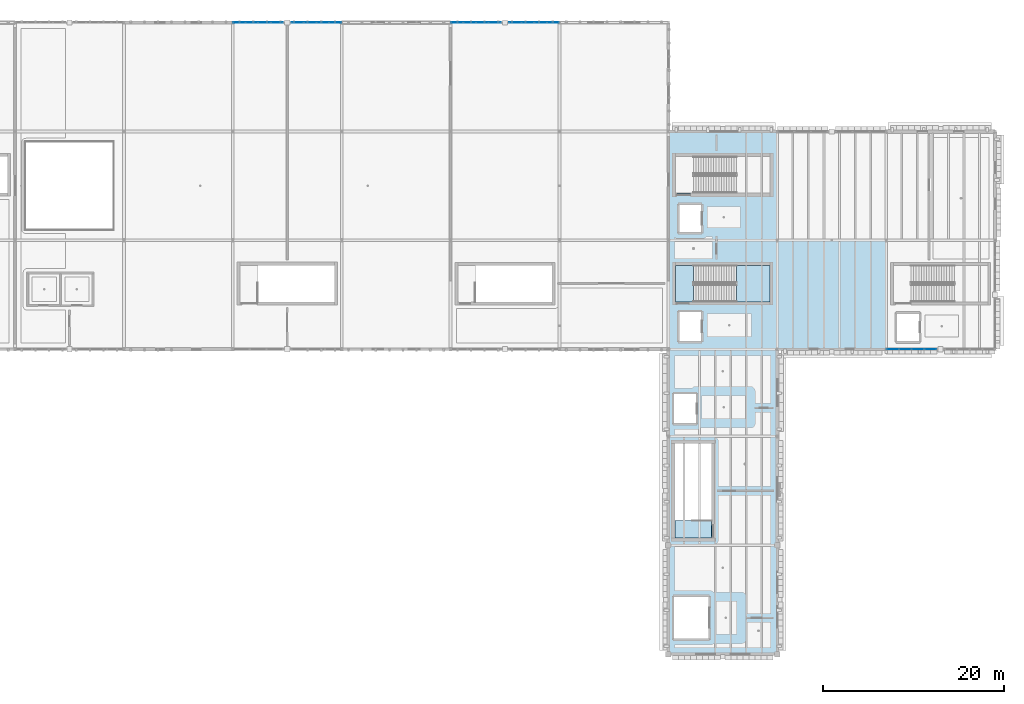
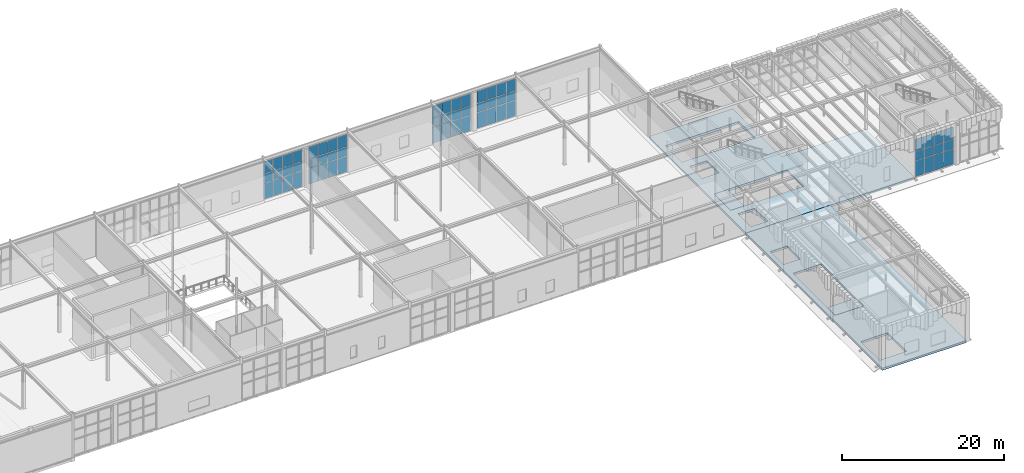
# One storey, part 35 of 62: 60 plates, 5 slabs, 6 elements without a shape of their own.
"""IFC4 building model written with IfcOpenShell, lengths in metres."""

from ifc_helpers import new_model, si_unit, direction, frame, origin, origin_2d, place, context, subcontext, project, spatial, polyline, rectangle, outline, extrude, material, layer, layer_set, type_object, element, aggregate, save


model = new_model("IFC4")

# Units and contexts
model_context = context("Model", 3, precision=1e-05, world=origin(), true_north=direction((0.0, 1.0)))
body_context = subcontext(model_context, "Body", "Model", "MODEL_VIEW")
ifc_project = project(units=[si_unit("LENGTHUNIT", "METRE"), si_unit("AREAUNIT", "SQUARE_METRE"), si_unit("VOLUMEUNIT", "CUBIC_METRE"), si_unit("PLANEANGLEUNIT", "RADIAN"), si_unit("MASSUNIT", "GRAM", prefix="KILO")], contexts=[model_context])

# Site, building, storey
site_placement = place(None, origin())
site = spatial("IfcSite", under=ifc_project, at=site_placement, CompositionType="ELEMENT")
building_placement = place(site_placement, origin())
building = spatial("IfcBuilding", under=site, at=building_placement, Name="Zlatogorsky Bluff Art Gallery", CompositionType="ELEMENT")
storey_placement = place(building_placement, frame((0.0, 0.0, 16.800048828125)))
storey = spatial("IfcBuildingStorey", under=building, at=storey_placement, Name="L03", CompositionType="ELEMENT", Elevation=16.800048828125)

# Curtain wall, plates
ifc_material_1 = material(Name="Anodised Bronze Aluminium and Low-Iron Triple Glazing", Category="aluminium")
ifc_layer_1 = layer(ifc_material_1, 0.199951171875)
ifc_layer_set_1 = layer_set([ifc_layer_1], Name="Curtain Wall CW-02")
curtain_wall_type = type_object("IfcCurtainWallType", Name="Curtain Wall CW-02", PredefinedType="USERDEFINED", material=ifc_layer_set_1)
curtain_wall_1_placement = place(storey_placement, origin())
curtain_wall_1 = element("IfcCurtainWall", 1, at=curtain_wall_1_placement, inside=storey, type_object=curtain_wall_type, Name="Unitised curtain wall CW-02 L03 N 6.10-A", ObjectType="CURTAIN WALL", PredefinedType="USERDEFINED")
ifc_material_2 = material(Name="Low-Iron Laminated Triple Glazing", Category="glass")
ifc_layer_2 = layer(ifc_material_2, 0.035888671875)
ifc_layer_set_2 = layer_set([ifc_layer_2], Name="Glazed Curtain Panel CWP-01")
plate_type = type_object("IfcPlateType", Name="Glazed Curtain Panel CWP-01", PredefinedType="CURTAIN_PANEL", material=ifc_layer_set_2)
plate_1_placement = place(storey_placement, frame((83.2861328125, 120.0, 0.06494140625), z_axis=(0.0, 0.0, 1.0), x_axis=(-1.0, 0.0, 0.0)))
plate_1 = element("IfcPlate", 2, at=plate_1_placement, type_object=plate_type, Name="CW-02 panel 1.1", PredefinedType="CURTAIN_PANEL", context=body_context, shape_type="SweptSolid", body=[
    extrude(rectangle(XDim=1.297607421875, YDim=0.035888671875, at=origin_2d()), origin(), (0.0, 0.0, 1.0), 2.3525390625),
])
plate_2_placement = place(storey_placement, frame((83.2861328125, 120.0, 2.482421875), z_axis=(0.0, 0.0, 1.0), x_axis=(-1.0, 0.0, 0.0)))
plate_2 = element("IfcPlate", 3, at=plate_2_placement, type_object=plate_type, Name="CW-02 panel 1.2", PredefinedType="CURTAIN_PANEL", context=body_context, shape_type="SweptSolid", body=[
    extrude(rectangle(XDim=1.297607421875, YDim=0.035888671875, at=origin_2d()), origin(), (0.0, 0.0, 1.0), 1.3349609375),
])
plate_3_placement = place(storey_placement, frame((83.2861328125, 120.0, 3.88232421875), z_axis=(0.0, 0.0, 1.0), x_axis=(-1.0, 0.0, 0.0)))
plate_3 = element("IfcPlate", 4, at=plate_3_placement, type_object=plate_type, Name="CW-02 panel 1.3", PredefinedType="CURTAIN_PANEL", context=body_context, shape_type="SweptSolid", body=[
    extrude(rectangle(XDim=1.297607421875, YDim=0.035888671875, at=origin_2d()), origin(), (0.0, 0.0, 1.0), 1.802490234375),
])
plate_4_placement = place(storey_placement, frame((81.907470703125, 120.0, 0.06494140625), z_axis=(0.0, 0.0, 1.0), x_axis=(-1.0, 0.0, 0.0)))
plate_4 = element("IfcPlate", 5, at=plate_4_placement, type_object=plate_type, Name="CW-02 panel 2.1", PredefinedType="CURTAIN_PANEL", context=body_context, shape_type="SweptSolid", body=[
    extrude(rectangle(XDim=1.330078125, YDim=0.035888671875, at=origin_2d()), origin(), (0.0, 0.0, 1.0), 2.3525390625),
])
plate_5_placement = place(storey_placement, frame((81.907470703125, 120.0, 2.482421875), z_axis=(0.0, 0.0, 1.0), x_axis=(-1.0, 0.0, 0.0)))
plate_5 = element("IfcPlate", 6, at=plate_5_placement, type_object=plate_type, Name="CW-02 panel 2.2", PredefinedType="CURTAIN_PANEL", context=body_context, shape_type="SweptSolid", body=[
    extrude(rectangle(XDim=1.330078125, YDim=0.035888671875, at=origin_2d()), origin(), (0.0, 0.0, 1.0), 1.3349609375),
])
plate_6_placement = place(storey_placement, frame((81.907470703125, 120.0, 3.88232421875), z_axis=(0.0, 0.0, 1.0), x_axis=(-1.0, 0.0, 0.0)))
plate_6 = element("IfcPlate", 7, at=plate_6_placement, type_object=plate_type, Name="CW-02 panel 2.3", PredefinedType="CURTAIN_PANEL", context=body_context, shape_type="SweptSolid", body=[
    extrude(rectangle(XDim=1.330078125, YDim=0.035888671875, at=origin_2d()), origin(), (0.0, 0.0, 1.0), 1.802490234375),
])
plate_7_placement = place(storey_placement, frame((80.512451171875, 120.0, 0.06494140625), z_axis=(0.0, 0.0, 1.0), x_axis=(-1.0, 0.0, 0.0)))
plate_7 = element("IfcPlate", 8, at=plate_7_placement, type_object=plate_type, Name="CW-02 panel 3.1", PredefinedType="CURTAIN_PANEL", context=body_context, shape_type="SweptSolid", body=[
    extrude(rectangle(XDim=1.330078125, YDim=0.035888671875, at=origin_2d()), origin(), (0.0, 0.0, 1.0), 2.3525390625),
])
plate_8_placement = place(storey_placement, frame((80.512451171875, 120.0, 2.482421875), z_axis=(0.0, 0.0, 1.0), x_axis=(-1.0, 0.0, 0.0)))
plate_8 = element("IfcPlate", 9, at=plate_8_placement, type_object=plate_type, Name="CW-02 panel 3.2", PredefinedType="CURTAIN_PANEL", context=body_context, shape_type="SweptSolid", body=[
    extrude(rectangle(XDim=1.330078125, YDim=0.035888671875, at=origin_2d()), origin(), (0.0, 0.0, 1.0), 1.3349609375),
])
plate_9_placement = place(storey_placement, frame((80.512451171875, 120.0, 3.88232421875), z_axis=(0.0, 0.0, 1.0), x_axis=(-1.0, 0.0, 0.0)))
plate_9 = element("IfcPlate", 10, at=plate_9_placement, type_object=plate_type, Name="CW-02 panel 3.3", PredefinedType="CURTAIN_PANEL", context=body_context, shape_type="SweptSolid", body=[
    extrude(rectangle(XDim=1.330078125, YDim=0.035888671875, at=origin_2d()), origin(), (0.0, 0.0, 1.0), 1.802490234375),
])
plate_10_placement = place(storey_placement, frame((79.1337890625, 120.0, 0.06494140625), z_axis=(0.0, 0.0, 1.0), x_axis=(-1.0, 0.0, 0.0)))
plate_10 = element("IfcPlate", 11, at=plate_10_placement, type_object=plate_type, Name="CW-02 panel 4.1", PredefinedType="CURTAIN_PANEL", context=body_context, shape_type="SweptSolid", body=[
    extrude(rectangle(XDim=1.297607421875, YDim=0.035888671875, at=origin_2d()), origin(), (0.0, 0.0, 1.0), 2.3525390625),
])
plate_11_placement = place(storey_placement, frame((79.1337890625, 120.0, 2.482421875), z_axis=(0.0, 0.0, 1.0), x_axis=(-1.0, 0.0, 0.0)))
plate_11 = element("IfcPlate", 12, at=plate_11_placement, type_object=plate_type, Name="CW-02 panel 4.2", PredefinedType="CURTAIN_PANEL", context=body_context, shape_type="SweptSolid", body=[
    extrude(rectangle(XDim=1.297607421875, YDim=0.035888671875, at=origin_2d()), origin(), (0.0, 0.0, 1.0), 1.3349609375),
])
plate_12_placement = place(storey_placement, frame((79.1337890625, 120.0, 3.88232421875), z_axis=(0.0, 0.0, 1.0), x_axis=(-1.0, 0.0, 0.0)))
plate_12 = element("IfcPlate", 13, at=plate_12_placement, type_object=plate_type, Name="CW-02 panel 4.3", PredefinedType="CURTAIN_PANEL", context=body_context, shape_type="SweptSolid", body=[
    extrude(rectangle(XDim=1.297607421875, YDim=0.035888671875, at=origin_2d()), origin(), (0.0, 0.0, 1.0), 1.802490234375),
])
aggregate(curtain_wall_1, [plate_1, plate_2, plate_3, plate_4, plate_5, plate_6, plate_7, plate_8, plate_9, plate_10, plate_11, plate_12])

curtain_wall_2_placement = place(storey_placement, origin())
curtain_wall_2 = element("IfcCurtainWall", 14, at=curtain_wall_2_placement, inside=storey, type_object=curtain_wall_type, Name="Unitised curtain wall CW-02 L03 N 6.10-B", ObjectType="CURTAIN WALL", PredefinedType="USERDEFINED")
plate_13_placement = place(storey_placement, frame((76.8662109375, 120.0, 0.06494140625), z_axis=(0.0, 0.0, 1.0), x_axis=(-1.0, 0.0, 0.0)))
plate_13 = element("IfcPlate", 15, at=plate_13_placement, type_object=plate_type, Name="CW-02 panel 1.1", PredefinedType="CURTAIN_PANEL", context=body_context, shape_type="SweptSolid", body=[
    extrude(rectangle(XDim=1.297607421875, YDim=0.035888671875, at=origin_2d()), origin(), (0.0, 0.0, 1.0), 2.3525390625),
])
plate_14_placement = place(storey_placement, frame((76.8662109375, 120.0, 2.482421875), z_axis=(0.0, 0.0, 1.0), x_axis=(-1.0, 0.0, 0.0)))
plate_14 = element("IfcPlate", 16, at=plate_14_placement, type_object=plate_type, Name="CW-02 panel 1.2", PredefinedType="CURTAIN_PANEL", context=body_context, shape_type="SweptSolid", body=[
    extrude(rectangle(XDim=1.297607421875, YDim=0.035888671875, at=origin_2d()), origin(), (0.0, 0.0, 1.0), 1.3349609375),
])
plate_15_placement = place(storey_placement, frame((76.8662109375, 120.0, 3.88232421875), z_axis=(0.0, 0.0, 1.0), x_axis=(-1.0, 0.0, 0.0)))
plate_15 = element("IfcPlate", 17, at=plate_15_placement, type_object=plate_type, Name="CW-02 panel 1.3", PredefinedType="CURTAIN_PANEL", context=body_context, shape_type="SweptSolid", body=[
    extrude(rectangle(XDim=1.297607421875, YDim=0.035888671875, at=origin_2d()), origin(), (0.0, 0.0, 1.0), 1.802490234375),
])
plate_16_placement = place(storey_placement, frame((75.487548828125, 120.0, 0.06494140625), z_axis=(0.0, 0.0, 1.0), x_axis=(-1.0, 0.0, 0.0)))
plate_16 = element("IfcPlate", 18, at=plate_16_placement, type_object=plate_type, Name="CW-02 panel 2.1", PredefinedType="CURTAIN_PANEL", context=body_context, shape_type="SweptSolid", body=[
    extrude(rectangle(XDim=1.330078125, YDim=0.035888671875, at=origin_2d()), origin(), (0.0, 0.0, 1.0), 2.3525390625),
])
plate_17_placement = place(storey_placement, frame((75.487548828125, 120.0, 2.482421875), z_axis=(0.0, 0.0, 1.0), x_axis=(-1.0, 0.0, 0.0)))
plate_17 = element("IfcPlate", 19, at=plate_17_placement, type_object=plate_type, Name="CW-02 panel 2.2", PredefinedType="CURTAIN_PANEL", context=body_context, shape_type="SweptSolid", body=[
    extrude(rectangle(XDim=1.330078125, YDim=0.035888671875, at=origin_2d()), origin(), (0.0, 0.0, 1.0), 1.3349609375),
])
plate_18_placement = place(storey_placement, frame((75.487548828125, 120.0, 3.88232421875), z_axis=(0.0, 0.0, 1.0), x_axis=(-1.0, 0.0, 0.0)))
plate_18 = element("IfcPlate", 20, at=plate_18_placement, type_object=plate_type, Name="CW-02 panel 2.3", PredefinedType="CURTAIN_PANEL", context=body_context, shape_type="SweptSolid", body=[
    extrude(rectangle(XDim=1.330078125, YDim=0.035888671875, at=origin_2d()), origin(), (0.0, 0.0, 1.0), 1.802490234375),
])
plate_19_placement = place(storey_placement, frame((74.092529296875, 120.0, 0.06494140625), z_axis=(0.0, 0.0, 1.0), x_axis=(-1.0, 0.0, 0.0)))
plate_19 = element("IfcPlate", 21, at=plate_19_placement, type_object=plate_type, Name="CW-02 panel 3.1", PredefinedType="CURTAIN_PANEL", context=body_context, shape_type="SweptSolid", body=[
    extrude(rectangle(XDim=1.330078125, YDim=0.035888671875, at=origin_2d()), origin(), (0.0, 0.0, 1.0), 2.3525390625),
])
plate_20_placement = place(storey_placement, frame((74.092529296875, 120.0, 2.482421875), z_axis=(0.0, 0.0, 1.0), x_axis=(-1.0, 0.0, 0.0)))
plate_20 = element("IfcPlate", 22, at=plate_20_placement, type_object=plate_type, Name="CW-02 panel 3.2", PredefinedType="CURTAIN_PANEL", context=body_context, shape_type="SweptSolid", body=[
    extrude(rectangle(XDim=1.330078125, YDim=0.035888671875, at=origin_2d()), origin(), (0.0, 0.0, 1.0), 1.3349609375),
])
plate_21_placement = place(storey_placement, frame((74.092529296875, 120.0, 3.88232421875), z_axis=(0.0, 0.0, 1.0), x_axis=(-1.0, 0.0, 0.0)))
plate_21 = element("IfcPlate", 23, at=plate_21_placement, type_object=plate_type, Name="CW-02 panel 3.3", PredefinedType="CURTAIN_PANEL", context=body_context, shape_type="SweptSolid", body=[
    extrude(rectangle(XDim=1.330078125, YDim=0.035888671875, at=origin_2d()), origin(), (0.0, 0.0, 1.0), 1.802490234375),
])
plate_22_placement = place(storey_placement, frame((72.7138671875, 120.0, 0.06494140625), z_axis=(0.0, 0.0, 1.0), x_axis=(-1.0, 0.0, 0.0)))
plate_22 = element("IfcPlate", 24, at=plate_22_placement, type_object=plate_type, Name="CW-02 panel 4.1", PredefinedType="CURTAIN_PANEL", context=body_context, shape_type="SweptSolid", body=[
    extrude(rectangle(XDim=1.297607421875, YDim=0.035888671875, at=origin_2d()), origin(), (0.0, 0.0, 1.0), 2.3525390625),
])
plate_23_placement = place(storey_placement, frame((72.7138671875, 120.0, 2.482421875), z_axis=(0.0, 0.0, 1.0), x_axis=(-1.0, 0.0, 0.0)))
plate_23 = element("IfcPlate", 25, at=plate_23_placement, type_object=plate_type, Name="CW-02 panel 4.2", PredefinedType="CURTAIN_PANEL", context=body_context, shape_type="SweptSolid", body=[
    extrude(rectangle(XDim=1.297607421875, YDim=0.035888671875, at=origin_2d()), origin(), (0.0, 0.0, 1.0), 1.3349609375),
])
plate_24_placement = place(storey_placement, frame((72.7138671875, 120.0, 3.88232421875), z_axis=(0.0, 0.0, 1.0), x_axis=(-1.0, 0.0, 0.0)))
plate_24 = element("IfcPlate", 26, at=plate_24_placement, type_object=plate_type, Name="CW-02 panel 4.3", PredefinedType="CURTAIN_PANEL", context=body_context, shape_type="SweptSolid", body=[
    extrude(rectangle(XDim=1.297607421875, YDim=0.035888671875, at=origin_2d()), origin(), (0.0, 0.0, 1.0), 1.802490234375),
])
aggregate(curtain_wall_2, [plate_13, plate_14, plate_15, plate_16, plate_17, plate_18, plate_19, plate_20, plate_21, plate_22, plate_23, plate_24])

curtain_wall_3_placement = place(storey_placement, origin())
curtain_wall_3 = element("IfcCurtainWall", 27, at=curtain_wall_3_placement, inside=storey, type_object=curtain_wall_type, Name="Unitised curtain wall CW-02 L03 N 8.10-A", ObjectType="CURTAIN WALL", PredefinedType="USERDEFINED")
plate_25_placement = place(storey_placement, frame((107.2861328125, 120.0, 0.06494140625), z_axis=(0.0, 0.0, 1.0), x_axis=(-1.0, 0.0, 0.0)))
plate_25 = element("IfcPlate", 28, at=plate_25_placement, type_object=plate_type, Name="CW-02 panel 1.1", PredefinedType="CURTAIN_PANEL", context=body_context, shape_type="SweptSolid", body=[
    extrude(rectangle(XDim=1.297607421875, YDim=0.035888671875, at=origin_2d()), origin(), (0.0, 0.0, 1.0), 2.3525390625),
])
plate_26_placement = place(storey_placement, frame((107.2861328125, 120.0, 2.482421875), z_axis=(0.0, 0.0, 1.0), x_axis=(-1.0, 0.0, 0.0)))
plate_26 = element("IfcPlate", 29, at=plate_26_placement, type_object=plate_type, Name="CW-02 panel 1.2", PredefinedType="CURTAIN_PANEL", context=body_context, shape_type="SweptSolid", body=[
    extrude(rectangle(XDim=1.297607421875, YDim=0.035888671875, at=origin_2d()), origin(), (0.0, 0.0, 1.0), 1.3349609375),
])
plate_27_placement = place(storey_placement, frame((107.2861328125, 120.0, 3.88232421875), z_axis=(0.0, 0.0, 1.0), x_axis=(-1.0, 0.0, 0.0)))
plate_27 = element("IfcPlate", 30, at=plate_27_placement, type_object=plate_type, Name="CW-02 panel 1.3", PredefinedType="CURTAIN_PANEL", context=body_context, shape_type="SweptSolid", body=[
    extrude(rectangle(XDim=1.297607421875, YDim=0.035888671875, at=origin_2d()), origin(), (0.0, 0.0, 1.0), 1.802490234375),
])
plate_28_placement = place(storey_placement, frame((105.907470703125, 120.0, 0.06494140625), z_axis=(0.0, 0.0, 1.0), x_axis=(-1.0, 0.0, 0.0)))
plate_28 = element("IfcPlate", 31, at=plate_28_placement, type_object=plate_type, Name="CW-02 panel 2.1", PredefinedType="CURTAIN_PANEL", context=body_context, shape_type="SweptSolid", body=[
    extrude(rectangle(XDim=1.330078125, YDim=0.035888671875, at=origin_2d()), origin(), (0.0, 0.0, 1.0), 2.3525390625),
])
plate_29_placement = place(storey_placement, frame((105.907470703125, 120.0, 2.482421875), z_axis=(0.0, 0.0, 1.0), x_axis=(-1.0, 0.0, 0.0)))
plate_29 = element("IfcPlate", 32, at=plate_29_placement, type_object=plate_type, Name="CW-02 panel 2.2", PredefinedType="CURTAIN_PANEL", context=body_context, shape_type="SweptSolid", body=[
    extrude(rectangle(XDim=1.330078125, YDim=0.035888671875, at=origin_2d()), origin(), (0.0, 0.0, 1.0), 1.3349609375),
])
plate_30_placement = place(storey_placement, frame((105.907470703125, 120.0, 3.88232421875), z_axis=(0.0, 0.0, 1.0), x_axis=(-1.0, 0.0, 0.0)))
plate_30 = element("IfcPlate", 33, at=plate_30_placement, type_object=plate_type, Name="CW-02 panel 2.3", PredefinedType="CURTAIN_PANEL", context=body_context, shape_type="SweptSolid", body=[
    extrude(rectangle(XDim=1.330078125, YDim=0.035888671875, at=origin_2d()), origin(), (0.0, 0.0, 1.0), 1.802490234375),
])
plate_31_placement = place(storey_placement, frame((104.512451171875, 120.0, 0.06494140625), z_axis=(0.0, 0.0, 1.0), x_axis=(-1.0, 0.0, 0.0)))
plate_31 = element("IfcPlate", 34, at=plate_31_placement, type_object=plate_type, Name="CW-02 panel 3.1", PredefinedType="CURTAIN_PANEL", context=body_context, shape_type="SweptSolid", body=[
    extrude(rectangle(XDim=1.330078125, YDim=0.035888671875, at=origin_2d()), origin(), (0.0, 0.0, 1.0), 2.3525390625),
])
plate_32_placement = place(storey_placement, frame((104.512451171875, 120.0, 2.482421875), z_axis=(0.0, 0.0, 1.0), x_axis=(-1.0, 0.0, 0.0)))
plate_32 = element("IfcPlate", 35, at=plate_32_placement, type_object=plate_type, Name="CW-02 panel 3.2", PredefinedType="CURTAIN_PANEL", context=body_context, shape_type="SweptSolid", body=[
    extrude(rectangle(XDim=1.330078125, YDim=0.035888671875, at=origin_2d()), origin(), (0.0, 0.0, 1.0), 1.3349609375),
])
plate_33_placement = place(storey_placement, frame((104.512451171875, 120.0, 3.88232421875), z_axis=(0.0, 0.0, 1.0), x_axis=(-1.0, 0.0, 0.0)))
plate_33 = element("IfcPlate", 36, at=plate_33_placement, type_object=plate_type, Name="CW-02 panel 3.3", PredefinedType="CURTAIN_PANEL", context=body_context, shape_type="SweptSolid", body=[
    extrude(rectangle(XDim=1.330078125, YDim=0.035888671875, at=origin_2d()), origin(), (0.0, 0.0, 1.0), 1.802490234375),
])
plate_34_placement = place(storey_placement, frame((103.1337890625, 120.0, 0.06494140625), z_axis=(0.0, 0.0, 1.0), x_axis=(-1.0, 0.0, 0.0)))
plate_34 = element("IfcPlate", 37, at=plate_34_placement, type_object=plate_type, Name="CW-02 panel 4.1", PredefinedType="CURTAIN_PANEL", context=body_context, shape_type="SweptSolid", body=[
    extrude(rectangle(XDim=1.297607421875, YDim=0.035888671875, at=origin_2d()), origin(), (0.0, 0.0, 1.0), 2.3525390625),
])
plate_35_placement = place(storey_placement, frame((103.1337890625, 120.0, 2.482421875), z_axis=(0.0, 0.0, 1.0), x_axis=(-1.0, 0.0, 0.0)))
plate_35 = element("IfcPlate", 38, at=plate_35_placement, type_object=plate_type, Name="CW-02 panel 4.2", PredefinedType="CURTAIN_PANEL", context=body_context, shape_type="SweptSolid", body=[
    extrude(rectangle(XDim=1.297607421875, YDim=0.035888671875, at=origin_2d()), origin(), (0.0, 0.0, 1.0), 1.3349609375),
])
plate_36_placement = place(storey_placement, frame((103.1337890625, 120.0, 3.88232421875), z_axis=(0.0, 0.0, 1.0), x_axis=(-1.0, 0.0, 0.0)))
plate_36 = element("IfcPlate", 39, at=plate_36_placement, type_object=plate_type, Name="CW-02 panel 4.3", PredefinedType="CURTAIN_PANEL", context=body_context, shape_type="SweptSolid", body=[
    extrude(rectangle(XDim=1.297607421875, YDim=0.035888671875, at=origin_2d()), origin(), (0.0, 0.0, 1.0), 1.802490234375),
])
aggregate(curtain_wall_3, [plate_25, plate_26, plate_27, plate_28, plate_29, plate_30, plate_31, plate_32, plate_33, plate_34, plate_35, plate_36])

curtain_wall_4_placement = place(storey_placement, origin())
curtain_wall_4 = element("IfcCurtainWall", 40, at=curtain_wall_4_placement, inside=storey, type_object=curtain_wall_type, Name="Unitised curtain wall CW-02 L03 N 8.10-B", ObjectType="CURTAIN WALL", PredefinedType="USERDEFINED")
plate_37_placement = place(storey_placement, frame((100.8662109375, 120.0, 0.06494140625), z_axis=(0.0, 0.0, 1.0), x_axis=(-1.0, 0.0, 0.0)))
plate_37 = element("IfcPlate", 41, at=plate_37_placement, type_object=plate_type, Name="CW-02 panel 1.1", PredefinedType="CURTAIN_PANEL", context=body_context, shape_type="SweptSolid", body=[
    extrude(rectangle(XDim=1.297607421875, YDim=0.035888671875, at=origin_2d()), origin(), (0.0, 0.0, 1.0), 2.3525390625),
])
plate_38_placement = place(storey_placement, frame((100.8662109375, 120.0, 2.482421875), z_axis=(0.0, 0.0, 1.0), x_axis=(-1.0, 0.0, 0.0)))
plate_38 = element("IfcPlate", 42, at=plate_38_placement, type_object=plate_type, Name="CW-02 panel 1.2", PredefinedType="CURTAIN_PANEL", context=body_context, shape_type="SweptSolid", body=[
    extrude(rectangle(XDim=1.297607421875, YDim=0.035888671875, at=origin_2d()), origin(), (0.0, 0.0, 1.0), 1.3349609375),
])
plate_39_placement = place(storey_placement, frame((100.8662109375, 120.0, 3.88232421875), z_axis=(0.0, 0.0, 1.0), x_axis=(-1.0, 0.0, 0.0)))
plate_39 = element("IfcPlate", 43, at=plate_39_placement, type_object=plate_type, Name="CW-02 panel 1.3", PredefinedType="CURTAIN_PANEL", context=body_context, shape_type="SweptSolid", body=[
    extrude(rectangle(XDim=1.297607421875, YDim=0.035888671875, at=origin_2d()), origin(), (0.0, 0.0, 1.0), 1.802490234375),
])
plate_40_placement = place(storey_placement, frame((99.487548828125, 120.0, 0.06494140625), z_axis=(0.0, 0.0, 1.0), x_axis=(-1.0, 0.0, 0.0)))
plate_40 = element("IfcPlate", 44, at=plate_40_placement, type_object=plate_type, Name="CW-02 panel 2.1", PredefinedType="CURTAIN_PANEL", context=body_context, shape_type="SweptSolid", body=[
    extrude(rectangle(XDim=1.330078125, YDim=0.035888671875, at=origin_2d()), origin(), (0.0, 0.0, 1.0), 2.3525390625),
])
plate_41_placement = place(storey_placement, frame((99.487548828125, 120.0, 2.482421875), z_axis=(0.0, 0.0, 1.0), x_axis=(-1.0, 0.0, 0.0)))
plate_41 = element("IfcPlate", 45, at=plate_41_placement, type_object=plate_type, Name="CW-02 panel 2.2", PredefinedType="CURTAIN_PANEL", context=body_context, shape_type="SweptSolid", body=[
    extrude(rectangle(XDim=1.330078125, YDim=0.035888671875, at=origin_2d()), origin(), (0.0, 0.0, 1.0), 1.3349609375),
])
plate_42_placement = place(storey_placement, frame((99.487548828125, 120.0, 3.88232421875), z_axis=(0.0, 0.0, 1.0), x_axis=(-1.0, 0.0, 0.0)))
plate_42 = element("IfcPlate", 46, at=plate_42_placement, type_object=plate_type, Name="CW-02 panel 2.3", PredefinedType="CURTAIN_PANEL", context=body_context, shape_type="SweptSolid", body=[
    extrude(rectangle(XDim=1.330078125, YDim=0.035888671875, at=origin_2d()), origin(), (0.0, 0.0, 1.0), 1.802490234375),
])
plate_43_placement = place(storey_placement, frame((98.092529296875, 120.0, 0.06494140625), z_axis=(0.0, 0.0, 1.0), x_axis=(-1.0, 0.0, 0.0)))
plate_43 = element("IfcPlate", 47, at=plate_43_placement, type_object=plate_type, Name="CW-02 panel 3.1", PredefinedType="CURTAIN_PANEL", context=body_context, shape_type="SweptSolid", body=[
    extrude(rectangle(XDim=1.330078125, YDim=0.035888671875, at=origin_2d()), origin(), (0.0, 0.0, 1.0), 2.3525390625),
])
plate_44_placement = place(storey_placement, frame((98.092529296875, 120.0, 2.482421875), z_axis=(0.0, 0.0, 1.0), x_axis=(-1.0, 0.0, 0.0)))
plate_44 = element("IfcPlate", 48, at=plate_44_placement, type_object=plate_type, Name="CW-02 panel 3.2", PredefinedType="CURTAIN_PANEL", context=body_context, shape_type="SweptSolid", body=[
    extrude(rectangle(XDim=1.330078125, YDim=0.035888671875, at=origin_2d()), origin(), (0.0, 0.0, 1.0), 1.3349609375),
])
plate_45_placement = place(storey_placement, frame((98.092529296875, 120.0, 3.88232421875), z_axis=(0.0, 0.0, 1.0), x_axis=(-1.0, 0.0, 0.0)))
plate_45 = element("IfcPlate", 49, at=plate_45_placement, type_object=plate_type, Name="CW-02 panel 3.3", PredefinedType="CURTAIN_PANEL", context=body_context, shape_type="SweptSolid", body=[
    extrude(rectangle(XDim=1.330078125, YDim=0.035888671875, at=origin_2d()), origin(), (0.0, 0.0, 1.0), 1.802490234375),
])
plate_46_placement = place(storey_placement, frame((96.7138671875, 120.0, 0.06494140625), z_axis=(0.0, 0.0, 1.0), x_axis=(-1.0, 0.0, 0.0)))
plate_46 = element("IfcPlate", 50, at=plate_46_placement, type_object=plate_type, Name="CW-02 panel 4.1", PredefinedType="CURTAIN_PANEL", context=body_context, shape_type="SweptSolid", body=[
    extrude(rectangle(XDim=1.297607421875, YDim=0.035888671875, at=origin_2d()), origin(), (0.0, 0.0, 1.0), 2.3525390625),
])
plate_47_placement = place(storey_placement, frame((96.7138671875, 120.0, 2.482421875), z_axis=(0.0, 0.0, 1.0), x_axis=(-1.0, 0.0, 0.0)))
plate_47 = element("IfcPlate", 51, at=plate_47_placement, type_object=plate_type, Name="CW-02 panel 4.2", PredefinedType="CURTAIN_PANEL", context=body_context, shape_type="SweptSolid", body=[
    extrude(rectangle(XDim=1.297607421875, YDim=0.035888671875, at=origin_2d()), origin(), (0.0, 0.0, 1.0), 1.3349609375),
])
plate_48_placement = place(storey_placement, frame((96.7138671875, 120.0, 3.88232421875), z_axis=(0.0, 0.0, 1.0), x_axis=(-1.0, 0.0, 0.0)))
plate_48 = element("IfcPlate", 52, at=plate_48_placement, type_object=plate_type, Name="CW-02 panel 4.3", PredefinedType="CURTAIN_PANEL", context=body_context, shape_type="SweptSolid", body=[
    extrude(rectangle(XDim=1.297607421875, YDim=0.035888671875, at=origin_2d()), origin(), (0.0, 0.0, 1.0), 1.802490234375),
])
aggregate(curtain_wall_4, [plate_37, plate_38, plate_39, plate_40, plate_41, plate_42, plate_43, plate_44, plate_45, plate_46, plate_47, plate_48])

curtain_wall_5_placement = place(storey_placement, origin())
curtain_wall_5 = element("IfcCurtainWall", 53, at=curtain_wall_5_placement, inside=storey, type_object=curtain_wall_type, Name="Unitised curtain wall CW-02 L03 S 12.8-A", ObjectType="CURTAIN WALL", PredefinedType="USERDEFINED")
plate_49_placement = place(storey_placement, frame((144.7138671875, 84.0, 0.06494140625), z_axis=(0.0, 0.0, 1.0), x_axis=(1.0, 0.0, 0.0)))
plate_49 = element("IfcPlate", 54, at=plate_49_placement, type_object=plate_type, Name="CW-02 panel 1.1", PredefinedType="CURTAIN_PANEL", context=body_context, shape_type="SweptSolid", body=[
    extrude(rectangle(XDim=1.297607421875, YDim=0.035888671875, at=origin_2d()), origin(), (0.0, 0.0, 1.0), 2.3525390625),
])
plate_50_placement = place(storey_placement, frame((144.7138671875, 84.0, 2.482421875), z_axis=(0.0, 0.0, 1.0), x_axis=(1.0, 0.0, 0.0)))
plate_50 = element("IfcPlate", 55, at=plate_50_placement, type_object=plate_type, Name="CW-02 panel 1.2", PredefinedType="CURTAIN_PANEL", context=body_context, shape_type="SweptSolid", body=[
    extrude(rectangle(XDim=1.297607421875, YDim=0.035888671875, at=origin_2d()), origin(), (0.0, 0.0, 1.0), 1.3349609375),
])
plate_51_placement = place(storey_placement, frame((144.7138671875, 84.0, 3.88232421875), z_axis=(0.0, 0.0, 1.0), x_axis=(1.0, 0.0, 0.0)))
plate_51 = element("IfcPlate", 56, at=plate_51_placement, type_object=plate_type, Name="CW-02 panel 1.3", PredefinedType="CURTAIN_PANEL", context=body_context, shape_type="SweptSolid", body=[
    extrude(rectangle(XDim=1.297607421875, YDim=0.035888671875, at=origin_2d()), origin(), (0.0, 0.0, 1.0), 1.802490234375),
])
plate_52_placement = place(storey_placement, frame((146.092529296875, 84.0, 0.06494140625), z_axis=(0.0, 0.0, 1.0), x_axis=(1.0, 0.0, 0.0)))
plate_52 = element("IfcPlate", 57, at=plate_52_placement, type_object=plate_type, Name="CW-02 panel 2.1", PredefinedType="CURTAIN_PANEL", context=body_context, shape_type="SweptSolid", body=[
    extrude(rectangle(XDim=1.330078125, YDim=0.035888671875, at=origin_2d()), origin(), (0.0, 0.0, 1.0), 2.3525390625),
])
plate_53_placement = place(storey_placement, frame((146.092529296875, 84.0, 2.482421875), z_axis=(0.0, 0.0, 1.0), x_axis=(1.0, 0.0, 0.0)))
plate_53 = element("IfcPlate", 58, at=plate_53_placement, type_object=plate_type, Name="CW-02 panel 2.2", PredefinedType="CURTAIN_PANEL", context=body_context, shape_type="SweptSolid", body=[
    extrude(rectangle(XDim=1.330078125, YDim=0.035888671875, at=origin_2d()), origin(), (0.0, 0.0, 1.0), 1.3349609375),
])
plate_54_placement = place(storey_placement, frame((146.092529296875, 84.0, 3.88232421875), z_axis=(0.0, 0.0, 1.0), x_axis=(1.0, 0.0, 0.0)))
plate_54 = element("IfcPlate", 59, at=plate_54_placement, type_object=plate_type, Name="CW-02 panel 2.3", PredefinedType="CURTAIN_PANEL", context=body_context, shape_type="SweptSolid", body=[
    extrude(rectangle(XDim=1.330078125, YDim=0.035888671875, at=origin_2d()), origin(), (0.0, 0.0, 1.0), 1.802490234375),
])
plate_55_placement = place(storey_placement, frame((147.487548828125, 84.0, 0.06494140625), z_axis=(0.0, 0.0, 1.0), x_axis=(1.0, 0.0, 0.0)))
plate_55 = element("IfcPlate", 60, at=plate_55_placement, type_object=plate_type, Name="CW-02 panel 3.1", PredefinedType="CURTAIN_PANEL", context=body_context, shape_type="SweptSolid", body=[
    extrude(rectangle(XDim=1.330078125, YDim=0.035888671875, at=origin_2d()), origin(), (0.0, 0.0, 1.0), 2.3525390625),
])
plate_56_placement = place(storey_placement, frame((147.487548828125, 84.0, 2.482421875), z_axis=(0.0, 0.0, 1.0), x_axis=(1.0, 0.0, 0.0)))
plate_56 = element("IfcPlate", 61, at=plate_56_placement, type_object=plate_type, Name="CW-02 panel 3.2", PredefinedType="CURTAIN_PANEL", context=body_context, shape_type="SweptSolid", body=[
    extrude(rectangle(XDim=1.330078125, YDim=0.035888671875, at=origin_2d()), origin(), (0.0, 0.0, 1.0), 1.3349609375),
])
plate_57_placement = place(storey_placement, frame((147.487548828125, 84.0, 3.88232421875), z_axis=(0.0, 0.0, 1.0), x_axis=(1.0, 0.0, 0.0)))
plate_57 = element("IfcPlate", 62, at=plate_57_placement, type_object=plate_type, Name="CW-02 panel 3.3", PredefinedType="CURTAIN_PANEL", context=body_context, shape_type="SweptSolid", body=[
    extrude(rectangle(XDim=1.330078125, YDim=0.035888671875, at=origin_2d()), origin(), (0.0, 0.0, 1.0), 1.802490234375),
])
plate_58_placement = place(storey_placement, frame((148.8662109375, 84.0, 0.06494140625), z_axis=(0.0, 0.0, 1.0), x_axis=(1.0, 0.0, 0.0)))
plate_58 = element("IfcPlate", 63, at=plate_58_placement, type_object=plate_type, Name="CW-02 panel 4.1", PredefinedType="CURTAIN_PANEL", context=body_context, shape_type="SweptSolid", body=[
    extrude(rectangle(XDim=1.297607421875, YDim=0.035888671875, at=origin_2d()), origin(), (0.0, 0.0, 1.0), 2.3525390625),
])
plate_59_placement = place(storey_placement, frame((148.8662109375, 84.0, 2.482421875), z_axis=(0.0, 0.0, 1.0), x_axis=(1.0, 0.0, 0.0)))
plate_59 = element("IfcPlate", 64, at=plate_59_placement, type_object=plate_type, Name="CW-02 panel 4.2", PredefinedType="CURTAIN_PANEL", context=body_context, shape_type="SweptSolid", body=[
    extrude(rectangle(XDim=1.297607421875, YDim=0.035888671875, at=origin_2d()), origin(), (0.0, 0.0, 1.0), 1.3349609375),
])
plate_60_placement = place(storey_placement, frame((148.8662109375, 84.0, 3.88232421875), z_axis=(0.0, 0.0, 1.0), x_axis=(1.0, 0.0, 0.0)))
plate_60 = element("IfcPlate", 65, at=plate_60_placement, type_object=plate_type, Name="CW-02 panel 4.3", PredefinedType="CURTAIN_PANEL", context=body_context, shape_type="SweptSolid", body=[
    extrude(rectangle(XDim=1.297607421875, YDim=0.035888671875, at=origin_2d()), origin(), (0.0, 0.0, 1.0), 1.802490234375),
])
aggregate(curtain_wall_5, [plate_49, plate_50, plate_51, plate_52, plate_53, plate_54, plate_55, plate_56, plate_57, plate_58, plate_59, plate_60])

# Slabs
ifc_material_3 = material(Name="Concrete C30/37", Category="concrete")
ifc_layer_3 = layer(ifc_material_3, 0.31005859375)
ifc_layer_set_3 = layer_set([ifc_layer_3], Name="Slab SL-03 310mm")
slab_type_1 = type_object("IfcSlabType", Name="Slab SL-03 310mm", PredefinedType="FLOOR", material=ifc_layer_set_3)
slab_1_placement = place(storey_placement, frame((0.0, 0.0, -0.31005859375)))
element("IfcSlab", 66, at=slab_1_placement, inside=storey, type_object=slab_type_1, Name="L03 structural floor slab panel 11", PredefinedType="FLOOR", context=body_context, shape_type="SweptSolid", body=[
    extrude(outline(polyline([(120.0, 50.39990234375), (120.0, 62.39990234375), (120.0, 74.39990234375), (120.0, 84.0), (132.0, 84.0), (132.0, 74.39990234375), (132.0, 62.39990234375), (132.0, 50.39990234375), (120.0, 50.39990234375)]), holes=[polyline([(120.6201171875, 79.050048828125), (120.6201171875, 75.85009765625), (123.02001953125, 75.85009765625), (123.02001953125, 79.050048828125), (120.6201171875, 79.050048828125)]), polyline([(120.6201171875, 56.699951171875), (120.6201171875, 52.10009765625), (124.419921875, 52.10009765625), (124.419921875, 56.699951171875), (120.6201171875, 56.699951171875)]), polyline([(124.75, 73.60009765625), (120.699951171875, 73.60009765625), (120.699951171875, 63.199951171875), (124.75, 63.199951171875), (124.75, 73.60009765625)])]), origin(), (0.0, 0.0, 1.0), 0.31005859375),
])
slab_2_placement = place(storey_placement, frame((0.0, 0.0, -0.31005859375)))
element("IfcSlab", 67, at=slab_2_placement, inside=storey, type_object=slab_type_1, Name="L03 structural floor slab panel 12", PredefinedType="FLOOR", context=body_context, shape_type="SweptSolid", body=[
    extrude(outline(polyline([(120.0, 96.0), (120.0, 108.0), (132.0, 108.0), (132.0, 96.0), (144.0, 96.0), (144.0, 84.0), (132.0, 84.0), (120.0, 84.0), (120.0, 96.0)]), holes=[polyline([(123.60009765625, 88.10009765625), (121.199951171875, 88.10009765625), (121.199951171875, 84.89990234375), (123.60009765625, 84.89990234375), (123.60009765625, 88.10009765625)]), polyline([(131.199951171875, 89.199951171875), (131.199951171875, 93.25), (120.800048828125, 93.25), (120.800048828125, 89.199951171875), (131.199951171875, 89.199951171875)]), polyline([(123.60009765625, 99.89990234375), (121.199951171875, 99.89990234375), (121.199951171875, 96.89990234375), (123.60009765625, 96.89990234375), (123.60009765625, 99.89990234375)]), polyline([(131.199951171875, 101.199951171875), (131.199951171875, 105.25), (120.800048828125, 105.25), (120.800048828125, 101.199951171875), (131.199951171875, 101.199951171875)])]), origin(), (0.0, 0.0, 1.0), 0.31005859375),
])
slab_3_placement = place(storey_placement, frame((0.0, 0.0, -0.31005859375)))
element("IfcSlab", 68, at=slab_3_placement, inside=storey, type_object=slab_type_1, Name="L03 stair ST-02 structural floor landing slab", PredefinedType="FLOOR", context=body_context, shape_type="SweptSolid", body=[
    extrude(outline(polyline([(120.800048828125, 89.199951171875), (122.75, 89.199951171875), (122.75, 93.25), (120.800048828125, 93.25), (120.800048828125, 89.199951171875)])), origin(), (0.0, 0.0, 1.0), 0.31005859375),
])
slab_4_placement = place(storey_placement, frame((0.0, 0.0, -0.31005859375)))
element("IfcSlab", 69, at=slab_4_placement, inside=storey, type_object=slab_type_1, Name="L03 stair ST-06 structural floor landing slab", PredefinedType="FLOOR", context=body_context, shape_type="SweptSolid", body=[
    extrude(outline(polyline([(124.75, 63.199951171875), (124.75, 65.14990234375), (120.699951171875, 65.14990234375), (120.699951171875, 63.199951171875), (124.75, 63.199951171875)])), origin(), (0.0, 0.0, 1.0), 0.31005859375),
])

# Stair, slab
stair_type = type_object("IfcStairType", Name="Protected Dogleg Stair ST-T8", PredefinedType="HALF_TURN_STAIR", material=ifc_material_3)
stair_placement = place(storey_placement, origin())
stair = element("IfcStair", 70, at=stair_placement, inside=storey, type_object=stair_type, Name="L03 Protected Exit Stair ST-02", PredefinedType="HALF_TURN_STAIR")
ifc_layer_4 = layer(ifc_material_3, 0.199951171875)
ifc_layer_set_4 = layer_set([ifc_layer_4], Name="Stair Half-Landing 200mm")
slab_type_2 = type_object("IfcSlabType", Name="Stair Half-Landing 200mm", PredefinedType="LANDING", material=ifc_layer_set_4)
slab_5_placement = place(storey_placement, frame((0.0, 0.0, 3.099853515625)))
slab_5 = element("IfcSlab", 71, at=slab_5_placement, type_object=slab_type_2, Name="ST-02 landing 1", PredefinedType="LANDING", context=body_context, shape_type="SweptSolid", body=[
    extrude(outline(polyline([(127.510009765625, 89.199951171875), (131.199951171875, 89.199951171875), (131.199951171875, 93.25), (127.510009765625, 93.25), (127.510009765625, 89.199951171875)])), origin(), (0.0, 0.0, 1.0), 0.2001953125),
])
aggregate(stair, [slab_5])

save(model, "model.ifc")
